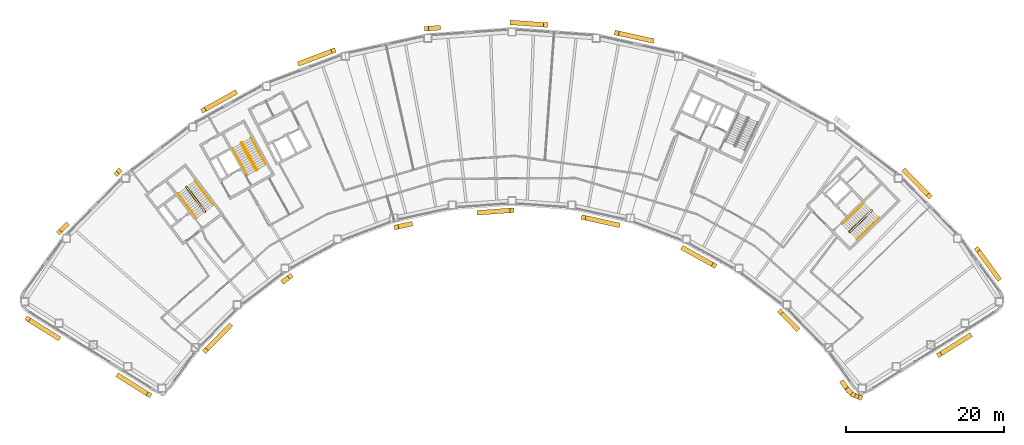
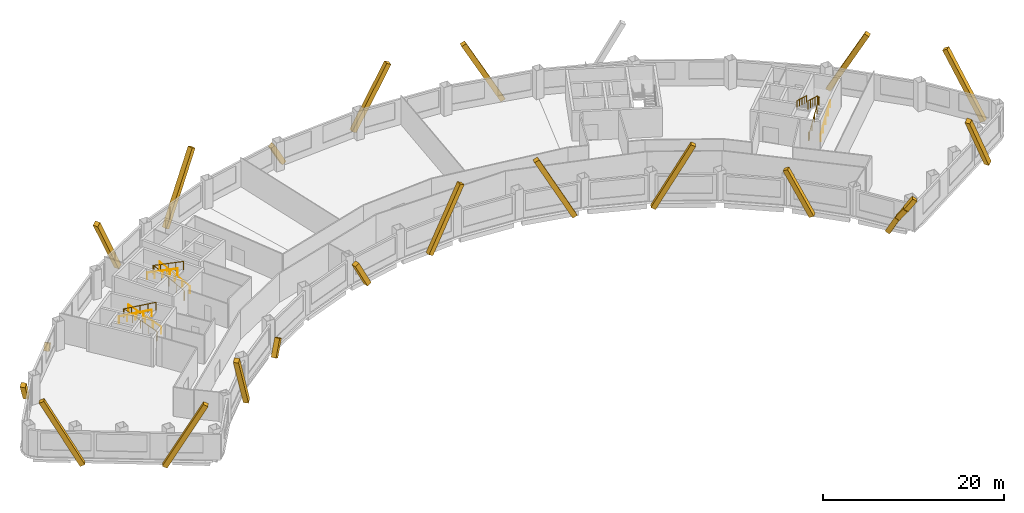
# One storey, part 10 of 11: 22 coverings, 9 railings.
"""IFC4 building model written with IfcOpenShell, lengths in metres."""

from ifc_helpers import new_model, si_unit, direction, frame, origin, origin_2d, place, context, subcontext, project, spatial, rectangle, circle, extrude, material, material_profile, profile_set, type_object, element, save


model = new_model("IFC4")

# Units and contexts
model_context = context("Model", 3, precision=1e-05, world=origin(), true_north=direction((0.0, 1.0)))
body_context = subcontext(model_context, "Body", "Model", "MODEL_VIEW")
ifc_project = project(units=[si_unit("LENGTHUNIT", "METRE"), si_unit("AREAUNIT", "SQUARE_METRE"), si_unit("VOLUMEUNIT", "CUBIC_METRE"), si_unit("PLANEANGLEUNIT", "RADIAN"), si_unit("MASSUNIT", "GRAM", prefix="KILO")], contexts=[model_context])

# Site, building, storey
site_placement = place(None, origin())
site = spatial("IfcSite", under=ifc_project, at=site_placement, CompositionType="ELEMENT")
building_placement = place(site_placement, origin())
building = spatial("IfcBuilding", under=site, at=building_placement, Name="Tuul Gate Civic Tower", CompositionType="ELEMENT")
storey_placement = place(building_placement, frame((0.0, 0.0, 146.60009765625)))
storey = spatial("IfcBuildingStorey", under=building, at=storey_placement, Name="Level 33", CompositionType="ELEMENT", Elevation=146.60009765625)

# Railings
ifc_material_1 = material(Name="Painted steel", Category="steel")
railing_type_1 = type_object("IfcRailingType", Name="Stair guard", PredefinedType="GUARDRAIL", material=ifc_material_1)
railing_1_placement = place(storey_placement, frame((-33.382080078125, -13.515380859375, 0.0)))
element("IfcRailing", 1, at=railing_1_placement, inside=storey, type_object=railing_type_1, Name="Level 33 ST-1 stair guard 1", PredefinedType="GUARDRAIL", context=body_context, shape_type="SweptSolid", body=[
    extrude(circle(Radius=0.02392578125, at=origin_2d()), frame((0.0, 0.0, 1.076171875), z_axis=(-0.795879841968, -0.605454603706, 0.0), x_axis=(0.605454603706, -0.795879841968, 0.0)), (0.0, 0.0, 1.0), 0.10009765625),
    extrude(circle(Radius=0.02392578125, at=origin_2d()), frame((-0.07958984375, -0.060546875, 1.076171875), z_axis=(0.408991890351, 0.599481263939, 0.688002796371), x_axis=(-0.826063974707, 0.563576356576, 0.0)), (0.0, 0.0, 1.0), 0.2177734375),
    extrude(circle(Radius=0.02392578125, at=origin_2d()), frame((0.009521484375, 0.070068359375, 1.22607421875), z_axis=(-0.541824460341, 0.711645023348, 0.447199748346), x_axis=(-0.795637165283, -0.60577347352, 0.0)), (0.0, 0.0, 1.0), 4.3603515625),
    extrude(circle(Radius=0.02392578125, at=origin_2d()), frame((-2.35302734375, 3.173095703125, 3.17578125), z_axis=(-0.990893089246, 0.134650977284, 0.0), x_axis=(-0.134650977284, -0.990893089246, 0.0)), (0.0, 0.0, 1.0), 0.07080078125),
    extrude(circle(Radius=0.02392578125, at=origin_2d()), frame((-2.423095703125, 3.1826171875, 3.17578125), z_axis=(-0.793802879778, -0.60817512943, 0.0), x_axis=(0.60817512943, -0.793802879778, 0.0)), (0.0, 0.0, 1.0), 0.099853515625),
    extrude(circle(Radius=0.02392578125, at=origin_2d()), frame((-2.50244140625, 3.121826171875, 3.17578125), z_axis=(-0.057370624079, -0.422188951554, 0.904690610473), x_axis=(0.990893089246, -0.134650977284, 0.0)), (0.0, 0.0, 1.0), 0.166015625),
    extrude(circle(Radius=0.02392578125, at=origin_2d()), frame((-2.511962890625, 3.0517578125, 3.326171875), z_axis=(0.541806494602, -0.71163897684, 0.447231136047), x_axis=(0.795644365679, 0.605764016233, 0.0)), (0.0, 0.0, 1.0), 4.360107421875),
    extrude(circle(Radius=0.02099609375, at=origin_2d()), origin(), (0.0, 0.0, 1.0), 1.052001953125),
    extrude(circle(Radius=0.02099609375, at=origin_2d()), frame((-0.07958984375, -0.060546875, 0.0)), (0.0, 0.0, 1.0), 1.052001953125),
    extrude(circle(Radius=0.02099609375, at=origin_2d()), frame((0.009521484375, 0.070068359375, 0.14990234375)), (0.0, 0.0, 1.0), 1.052001953125),
    extrude(circle(Radius=0.02099609375, at=origin_2d()), frame((-0.5810546875, 0.845703125, 0.637451171875)), (0.0, 0.0, 1.0), 1.052001953125),
    extrude(circle(Radius=0.02099609375, at=origin_2d()), frame((-1.171875, 1.62158203125, 1.125)), (0.0, 0.0, 1.0), 1.052001953125),
    extrude(circle(Radius=0.02099609375, at=origin_2d()), frame((-1.762451171875, 2.3974609375, 1.6123046875)), (0.0, 0.0, 1.0), 1.052001953125),
    extrude(circle(Radius=0.02099609375, at=origin_2d()), frame((-2.35302734375, 3.173095703125, 2.099853515625)), (0.0, 0.0, 1.0), 1.052001953125),
    extrude(circle(Radius=0.02099609375, at=origin_2d()), frame((-2.423095703125, 3.1826171875, 2.099853515625)), (0.0, 0.0, 1.0), 1.052001953125),
    extrude(circle(Radius=0.02099609375, at=origin_2d()), frame((-2.50244140625, 3.121826171875, 2.099853515625)), (0.0, 0.0, 1.0), 1.052001953125),
    extrude(circle(Radius=0.02099609375, at=origin_2d()), frame((-2.511962890625, 3.0517578125, 2.25)), (0.0, 0.0, 1.0), 1.052001953125),
    extrude(circle(Radius=0.02099609375, at=origin_2d()), frame((-1.92138671875, 2.276123046875, 2.737548828125)), (0.0, 0.0, 1.0), 1.052001953125),
    extrude(circle(Radius=0.02099609375, at=origin_2d()), frame((-1.330810546875, 1.50048828125, 3.22509765625)), (0.0, 0.0, 1.0), 1.052001953125),
    extrude(circle(Radius=0.02099609375, at=origin_2d()), frame((-0.740234375, 0.724609375, 3.71240234375)), (0.0, 0.0, 1.0), 1.052001953125),
    extrude(circle(Radius=0.02099609375, at=origin_2d()), frame((-0.149658203125, -0.051025390625, 4.199951171875)), (0.0, 0.0, 1.0), 1.052001953125),
])
railing_2_placement = place(storey_placement, frame((-26.857666015625, -8.247314453125, 0.0)))
element("IfcRailing", 2, at=railing_2_placement, inside=storey, type_object=railing_type_1, Name="Level 33 ST-2 stair guard 1", PredefinedType="GUARDRAIL", context=body_context, shape_type="SweptSolid", body=[
    extrude(circle(Radius=0.02392578125, at=origin_2d()), frame((0.0, 0.0, 1.076171875), z_axis=(-0.874616555828, -0.48481530532, 0.0), x_axis=(0.48481530532, -0.874616555828, 0.0)), (0.0, 0.0, 1.0), 0.10009765625),
    extrude(circle(Radius=0.02392578125, at=origin_2d()), frame((-0.087646484375, -0.048583984375, 1.076171875), z_axis=(0.49081399482, 0.534516610797, 0.688036056665), x_axis=(-0.736576986774, 0.676353711126, 0.0)), (0.0, 0.0, 1.0), 0.2177734375),
    extrude(circle(Radius=0.02392578125, at=origin_2d()), frame((0.019287109375, 0.06787109375, 1.22607421875), z_axis=(-0.43354991378, 0.782327185242, 0.447212083348), x_axis=(-0.874667644053, -0.484723129681, 0.0)), (0.0, 0.0, 1.0), 4.3603515625),
    extrude(circle(Radius=0.02392578125, at=origin_2d()), frame((-1.87109375, 3.47900390625, 3.17578125), z_axis=(-0.961263487578, 0.275631107549, 0.0), x_axis=(-0.275631107549, -0.961263487578, 0.0)), (0.0, 0.0, 1.0), 0.07080078125),
    extrude(circle(Radius=0.02392578125, at=origin_2d()), frame((-1.939208984375, 3.49853515625, 3.17578125), z_axis=(-0.874042088414, -0.485850211157, 0.0), x_axis=(0.485850211157, -0.874042088414, 0.0)), (0.0, 0.0, 1.0), 0.10009765625),
    extrude(circle(Radius=0.02392578125, at=origin_2d()), frame((-2.026611328125, 3.449951171875, 3.17578125), z_axis=(-0.117709570447, -0.409040757305, 0.904892322815), x_axis=(0.961000426733, -0.276546885391, 0.0)), (0.0, 0.0, 1.0), 0.166015625),
    extrude(circle(Radius=0.02392578125, at=origin_2d()), frame((-2.046142578125, 3.382080078125, 3.326171875), z_axis=(0.433595379963, -0.782308193291, 0.447201226726), x_axis=(0.874641102302, 0.484771020343, 0.0)), (0.0, 0.0, 1.0), 4.3603515625),
    extrude(circle(Radius=0.02099609375, at=origin_2d()), origin(), (0.0, 0.0, 1.0), 1.052001953125),
    extrude(circle(Radius=0.02099609375, at=origin_2d()), frame((-0.087646484375, -0.048583984375, 0.0)), (0.0, 0.0, 1.0), 1.052001953125),
    extrude(circle(Radius=0.02099609375, at=origin_2d()), frame((0.019287109375, 0.06787109375, 0.14990234375)), (0.0, 0.0, 1.0), 1.052001953125),
    extrude(circle(Radius=0.02099609375, at=origin_2d()), frame((-0.453369140625, 0.920654296875, 0.637451171875)), (0.0, 0.0, 1.0), 1.052001953125),
    extrude(circle(Radius=0.02099609375, at=origin_2d()), frame((-0.92578125, 1.7734375, 1.125)), (0.0, 0.0, 1.0), 1.052001953125),
    extrude(circle(Radius=0.02099609375, at=origin_2d()), frame((-1.3984375, 2.626220703125, 1.6123046875)), (0.0, 0.0, 1.0), 1.052001953125),
    extrude(circle(Radius=0.02099609375, at=origin_2d()), frame((-1.87109375, 3.47900390625, 2.099853515625)), (0.0, 0.0, 1.0), 1.052001953125),
    extrude(circle(Radius=0.02099609375, at=origin_2d()), frame((-1.939208984375, 3.49853515625, 2.099853515625)), (0.0, 0.0, 1.0), 1.052001953125),
    extrude(circle(Radius=0.02099609375, at=origin_2d()), frame((-2.026611328125, 3.449951171875, 2.099853515625)), (0.0, 0.0, 1.0), 1.052001953125),
    extrude(circle(Radius=0.02099609375, at=origin_2d()), frame((-2.046142578125, 3.382080078125, 2.25)), (0.0, 0.0, 1.0), 1.052001953125),
    extrude(circle(Radius=0.02099609375, at=origin_2d()), frame((-1.573486328125, 2.529296875, 2.737548828125)), (0.0, 0.0, 1.0), 1.052001953125),
    extrude(circle(Radius=0.02099609375, at=origin_2d()), frame((-1.100830078125, 1.676513671875, 3.22509765625)), (0.0, 0.0, 1.0), 1.052001953125),
    extrude(circle(Radius=0.02099609375, at=origin_2d()), frame((-0.628173828125, 0.82373046875, 3.71240234375)), (0.0, 0.0, 1.0), 1.052001953125),
    extrude(circle(Radius=0.02099609375, at=origin_2d()), frame((-0.155517578125, -0.029052734375, 4.199951171875)), (0.0, 0.0, 1.0), 1.052001953125),
])
railing_3_placement = place(storey_placement, frame((48.10546875, -16.134765625, 0.0)))
element("IfcRailing", 3, at=railing_3_placement, inside=storey, type_object=railing_type_1, Name="Level 33 ST-3 stair guard 1", PredefinedType="GUARDRAIL", context=body_context, shape_type="SweptSolid", body=[
    extrude(circle(Radius=0.02392578125, at=origin_2d()), frame((0.0, 0.0, 1.076171875), z_axis=(-0.698506948293, 0.715603272202, 0.0), x_axis=(-0.715603272202, -0.698506948293, 0.0)), (0.0, 0.0, 1.0), 0.099853515625),
    extrude(circle(Radius=0.02392578125, at=origin_2d()), frame((-0.06982421875, 0.071533203125, 1.076171875), z_axis=(0.645446321009, -0.331687692741, 0.688027849131), x_axis=(0.457068866502, 0.889431307788, 0.0)), (0.0, 0.0, 1.0), 0.2177734375),
    extrude(circle(Radius=0.02392578125, at=origin_2d()), frame((0.07080078125, -0.000732421875, 1.22607421875), z_axis=(0.638731261263, 0.626133563701, 0.447190268558), x_axis=(-0.700029477518, 0.714113947914, 0.0)), (0.0, 0.0, 1.0), 4.3603515625),
    extrude(circle(Radius=0.02392578125, at=origin_2d()), frame((2.85595703125, 2.7294921875, 3.17578125), z_axis=(0.010380063588, 0.999946125689, 0.0), x_axis=(-0.999946125689, 0.010380063588, 0.0)), (0.0, 0.0, 1.0), 0.070556640625),
    extrude(circle(Radius=0.02392578125, at=origin_2d()), frame((2.856689453125, 2.800048828125, 3.17578125), z_axis=(-0.699754442181, 0.714383454909, 0.0), x_axis=(-0.714383454909, -0.699754442181, 0.0)), (0.0, 0.0, 1.0), 0.10009765625),
    extrude(circle(Radius=0.02392578125, at=origin_2d()), frame((2.78662109375, 2.87158203125, 3.17578125), z_axis=(-0.426501027327, 0.004412079593, 0.904476316574), x_axis=(-0.010344274102, -0.999946496565, 0.0)), (0.0, 0.0, 1.0), 0.166015625),
    extrude(circle(Radius=0.02392578125, at=origin_2d()), frame((2.7158203125, 2.872314453125, 3.326171875), z_axis=(-0.638731261263, -0.626133563701, 0.447190268558), x_axis=(0.700029477518, -0.714113947914, 0.0)), (0.0, 0.0, 1.0), 4.3603515625),
    extrude(circle(Radius=0.02099609375, at=origin_2d()), origin(), (0.0, 0.0, 1.0), 1.052001953125),
    extrude(circle(Radius=0.02099609375, at=origin_2d()), frame((-0.06982421875, 0.071533203125, 0.0)), (0.0, 0.0, 1.0), 1.052001953125),
    extrude(circle(Radius=0.02099609375, at=origin_2d()), frame((0.07080078125, -0.000732421875, 0.14990234375)), (0.0, 0.0, 1.0), 1.052001953125),
    extrude(circle(Radius=0.02099609375, at=origin_2d()), frame((0.76708984375, 0.681884765625, 0.637451171875)), (0.0, 0.0, 1.0), 1.052001953125),
    extrude(circle(Radius=0.02099609375, at=origin_2d()), frame((1.46337890625, 1.3642578125, 1.125)), (0.0, 0.0, 1.0), 1.052001953125),
    extrude(circle(Radius=0.02099609375, at=origin_2d()), frame((2.15966796875, 2.046875, 1.6123046875)), (0.0, 0.0, 1.0), 1.052001953125),
    extrude(circle(Radius=0.02099609375, at=origin_2d()), frame((2.85595703125, 2.7294921875, 2.099853515625)), (0.0, 0.0, 1.0), 1.052001953125),
    extrude(circle(Radius=0.02099609375, at=origin_2d()), frame((2.856689453125, 2.800048828125, 2.099853515625)), (0.0, 0.0, 1.0), 1.052001953125),
    extrude(circle(Radius=0.02099609375, at=origin_2d()), frame((2.78662109375, 2.87158203125, 2.099853515625)), (0.0, 0.0, 1.0), 1.052001953125),
    extrude(circle(Radius=0.02099609375, at=origin_2d()), frame((2.7158203125, 2.872314453125, 2.25)), (0.0, 0.0, 1.0), 1.052001953125),
    extrude(circle(Radius=0.02099609375, at=origin_2d()), frame((2.01953125, 2.189697265625, 2.737548828125)), (0.0, 0.0, 1.0), 1.052001953125),
    extrude(circle(Radius=0.02099609375, at=origin_2d()), frame((1.3232421875, 1.50732421875, 3.22509765625)), (0.0, 0.0, 1.0), 1.052001953125),
    extrude(circle(Radius=0.02099609375, at=origin_2d()), frame((0.626953125, 0.82470703125, 3.71240234375)), (0.0, 0.0, 1.0), 1.052001953125),
    extrude(circle(Radius=0.02099609375, at=origin_2d()), frame((-0.0693359375, 0.14208984375, 4.199951171875)), (0.0, 0.0, 1.0), 1.052001953125),
])
ifc_material_2 = material(Name="Painted steel", Category="steel")
railing_type_2 = type_object("IfcRailingType", Name="Stair handrail", PredefinedType="HANDRAIL", material=ifc_material_2)
railing_4_placement = place(storey_placement, frame((-32.3779296875, -12.688232421875, 0.14990234375)))
element("IfcRailing", 4, at=railing_4_placement, inside=storey, type_object=railing_type_2, Name="Level 33 ST-1 stair handrail 1", PredefinedType="HANDRAIL", context=body_context, shape_type="SweptSolid", body=[
    extrude(circle(Radius=0.02392578125, at=origin_2d()), frame((0.0, 0.0, 0.8759765625), z_axis=(-0.541824460341, 0.711645023348, 0.447199748346), x_axis=(-0.795637165283, -0.60577347352, 0.0)), (0.0, 0.0, 1.0), 4.3603515625),
    extrude(circle(Radius=0.02099609375, at=origin_2d()), origin(), (0.0, 0.0, 1.0), 0.851806640625),
    extrude(circle(Radius=0.02099609375, at=origin_2d()), frame((-0.590576171875, 0.77587890625, 0.487548828125)), (0.0, 0.0, 1.0), 0.851806640625),
    extrude(circle(Radius=0.02099609375, at=origin_2d()), frame((-1.18115234375, 1.551513671875, 0.97509765625)), (0.0, 0.0, 1.0), 0.851806640625),
    extrude(circle(Radius=0.02099609375, at=origin_2d()), frame((-1.77197265625, 2.3271484375, 1.46240234375)), (0.0, 0.0, 1.0), 0.851806640625),
    extrude(circle(Radius=0.02099609375, at=origin_2d()), frame((-2.362548828125, 3.10302734375, 1.949951171875)), (0.0, 0.0, 1.0), 0.851806640625),
])
railing_5_placement = place(storey_placement, frame((-36.888671875, -11.220703125, 2.25)))
element("IfcRailing", 5, at=railing_5_placement, inside=storey, type_object=railing_type_2, Name="Level 33 ST-1 stair handrail 2", PredefinedType="HANDRAIL", context=body_context, shape_type="SweptSolid", body=[
    extrude(circle(Radius=0.02392578125, at=origin_2d()), frame((0.0, 0.0, 0.8759765625), z_axis=(0.541824460341, -0.711645023348, 0.447199748346), x_axis=(0.795637165283, 0.60577347352, 0.0)), (0.0, 0.0, 1.0), 4.3603515625),
    extrude(circle(Radius=0.02099609375, at=origin_2d()), origin(), (0.0, 0.0, 1.0), 0.851806640625),
    extrude(circle(Radius=0.02099609375, at=origin_2d()), frame((0.590576171875, -0.77587890625, 0.487548828125)), (0.0, 0.0, 1.0), 0.851806640625),
    extrude(circle(Radius=0.02099609375, at=origin_2d()), frame((1.18115234375, -1.551513671875, 0.97509765625)), (0.0, 0.0, 1.0), 0.851806640625),
    extrude(circle(Radius=0.02099609375, at=origin_2d()), frame((1.77197265625, -2.3271484375, 1.46240234375)), (0.0, 0.0, 1.0), 0.851806640625),
    extrude(circle(Radius=0.02099609375, at=origin_2d()), frame((2.362548828125, -3.10302734375, 1.949951171875)), (0.0, 0.0, 1.0), 0.851806640625),
])
railing_6_placement = place(storey_placement, frame((-25.744873046875, -7.573486328125, 0.14990234375)))
element("IfcRailing", 6, at=railing_6_placement, inside=storey, type_object=railing_type_2, Name="Level 33 ST-2 stair handrail 1", PredefinedType="HANDRAIL", context=body_context, shape_type="SweptSolid", body=[
    extrude(circle(Radius=0.02392578125, at=origin_2d()), frame((0.0, 0.0, 0.8759765625), z_axis=(-0.433595379963, 0.782308193291, 0.447201226726), x_axis=(-0.874641102302, -0.484771020343, 0.0)), (0.0, 0.0, 1.0), 4.3603515625),
    extrude(circle(Radius=0.02099609375, at=origin_2d()), origin(), (0.0, 0.0, 1.0), 0.851806640625),
    extrude(circle(Radius=0.02099609375, at=origin_2d()), frame((-0.47265625, 0.852783203125, 0.487548828125)), (0.0, 0.0, 1.0), 0.851806640625),
    extrude(circle(Radius=0.02099609375, at=origin_2d()), frame((-0.9453125, 1.70556640625, 0.97509765625)), (0.0, 0.0, 1.0), 0.851806640625),
    extrude(circle(Radius=0.02099609375, at=origin_2d()), frame((-1.41796875, 2.558349609375, 1.46240234375)), (0.0, 0.0, 1.0), 0.851806640625),
    extrude(circle(Radius=0.02099609375, at=origin_2d()), frame((-1.890625, 3.4111328125, 1.949951171875)), (0.0, 0.0, 1.0), 0.851806640625),
])
railing_7_placement = place(storey_placement, frame((-29.9970703125, -5.47119140625, 2.25)))
element("IfcRailing", 7, at=railing_7_placement, inside=storey, type_object=railing_type_2, Name="Level 33 ST-2 stair handrail 2", PredefinedType="HANDRAIL", context=body_context, shape_type="SweptSolid", body=[
    extrude(circle(Radius=0.02392578125, at=origin_2d()), frame((0.0, 0.0, 0.8759765625), z_axis=(0.433595379963, -0.782308193291, 0.447201226726), x_axis=(0.874641102302, 0.484771020343, 0.0)), (0.0, 0.0, 1.0), 4.3603515625),
    extrude(circle(Radius=0.02099609375, at=origin_2d()), origin(), (0.0, 0.0, 1.0), 0.851806640625),
    extrude(circle(Radius=0.02099609375, at=origin_2d()), frame((0.47265625, -0.852783203125, 0.487548828125)), (0.0, 0.0, 1.0), 0.851806640625),
    extrude(circle(Radius=0.02099609375, at=origin_2d()), frame((0.9453125, -1.70556640625, 0.97509765625)), (0.0, 0.0, 1.0), 0.851806640625),
    extrude(circle(Radius=0.02099609375, at=origin_2d()), frame((1.41796875, -2.558349609375, 1.46240234375)), (0.0, 0.0, 1.0), 0.851806640625),
    extrude(circle(Radius=0.02099609375, at=origin_2d()), frame((1.890625, -3.4111328125, 1.949951171875)), (0.0, 0.0, 1.0), 0.851806640625),
])
railing_8_placement = place(storey_placement, frame((49.05126953125, -17.028076171875, 0.14990234375)))
element("IfcRailing", 8, at=railing_8_placement, inside=storey, type_object=railing_type_2, Name="Level 33 ST-3 stair handrail 1", PredefinedType="HANDRAIL", context=body_context, shape_type="SweptSolid", body=[
    extrude(circle(Radius=0.02392578125, at=origin_2d()), frame((0.0, 0.0, 0.8759765625), z_axis=(0.638753653487, 0.626099522554, 0.447205945863), x_axis=(-0.699997553204, 0.714145241186, 0.0)), (0.0, 0.0, 1.0), 4.3603515625),
    extrude(circle(Radius=0.02099609375, at=origin_2d()), origin(), (0.0, 0.0, 1.0), 0.851806640625),
    extrude(circle(Radius=0.02099609375, at=origin_2d()), frame((0.6962890625, 0.6826171875, 0.487548828125)), (0.0, 0.0, 1.0), 0.851806640625),
    extrude(circle(Radius=0.02099609375, at=origin_2d()), frame((1.392578125, 1.364990234375, 0.97509765625)), (0.0, 0.0, 1.0), 0.851806640625),
    extrude(circle(Radius=0.02099609375, at=origin_2d()), frame((2.0888671875, 2.04736328125, 1.46240234375)), (0.0, 0.0, 1.0), 0.851806640625),
    extrude(circle(Radius=0.02099609375, at=origin_2d()), frame((2.78515625, 2.72998046875, 1.949951171875)), (0.0, 0.0, 1.0), 0.851806640625),
])
railing_9_placement = place(storey_placement, frame((49.9462890625, -12.369873046875, 2.25)))
element("IfcRailing", 9, at=railing_9_placement, inside=storey, type_object=railing_type_2, Name="Level 33 ST-3 stair handrail 2", PredefinedType="HANDRAIL", context=body_context, shape_type="SweptSolid", body=[
    extrude(circle(Radius=0.02392578125, at=origin_2d()), frame((0.0, 0.0, 0.8759765625), z_axis=(-0.638753653487, -0.626099522554, 0.447205945863), x_axis=(0.699997553204, -0.714145241186, 0.0)), (0.0, 0.0, 1.0), 4.3603515625),
    extrude(circle(Radius=0.02099609375, at=origin_2d()), origin(), (0.0, 0.0, 1.0), 0.851806640625),
    extrude(circle(Radius=0.02099609375, at=origin_2d()), frame((-0.6962890625, -0.6826171875, 0.487548828125)), (0.0, 0.0, 1.0), 0.851806640625),
    extrude(circle(Radius=0.02099609375, at=origin_2d()), frame((-1.392578125, -1.364990234375, 0.97509765625)), (0.0, 0.0, 1.0), 0.851806640625),
    extrude(circle(Radius=0.02099609375, at=origin_2d()), frame((-2.0888671875, -2.04736328125, 1.46240234375)), (0.0, 0.0, 1.0), 0.851806640625),
    extrude(circle(Radius=0.02099609375, at=origin_2d()), frame((-2.78515625, -2.72998046875, 1.949951171875)), (0.0, 0.0, 1.0), 0.851806640625),
])

# Coverings
ifc_material_3 = material(Name="Terracotta baguette", Category="masonry")
ifc_material_profile = material_profile(ifc_material_3, rectangle(XDim=0.60009765625, YDim=0.60009765625, at=origin_2d()), Name="Terracotta baguette screen frame")
ifc_profile_set = profile_set([ifc_material_profile], Name="Terracotta baguette")
covering_type = type_object("IfcCoveringType", Name="Terracotta baguette screen frame", PredefinedType="CLADDING", material=ifc_profile_set)
covering_1_placement = place(storey_placement, frame((63.275146484375, -29.19384765625, -0.35009765625), z_axis=(-0.402317058192, -0.251358609748, 0.880318030028), x_axis=(0.529863185224, -0.848083135633, 0.0)))
element("IfcCovering", 10, at=covering_1_placement, inside=storey, type_object=covering_type, Name="Baguette 3", PredefinedType="CLADDING", context=body_context, shape_type="SweptSolid", body=[
    extrude(rectangle(XDim=0.60009765625, YDim=0.60009765625, at=origin_2d()), origin(), (0.0, 0.0, 1.0), 9.5419921875),
])
covering_2_placement = place(storey_placement, frame((66.93359375, -21.952880859375, -0.35009765625), z_axis=(-0.281344263108, 0.385258232812, 0.878875133148), x_axis=(-0.807581408805, -0.589756109042, 0.0)))
element("IfcCovering", 11, at=covering_2_placement, inside=storey, type_object=covering_type, Name="Baguette 18", PredefinedType="CLADDING", context=body_context, shape_type="SweptSolid", body=[
    extrude(rectangle(XDim=0.60009765625, YDim=0.60009765625, at=origin_2d()), origin(), (0.0, 0.0, 1.0), 9.5576171875),
])
covering_3_placement = place(storey_placement, frame((58.1796875, -11.53173828125, 8.0498046875), z_axis=(-0.332633387091, 0.339313715568, -0.879898421535), x_axis=(-0.714101368885, -0.700042309404, 0.0)))
element("IfcCovering", 12, at=covering_3_placement, inside=storey, type_object=covering_type, Name="Baguette 27", PredefinedType="CLADDING", context=body_context, shape_type="SweptSolid", body=[
    extrude(rectangle(XDim=0.60009765625, YDim=0.60009765625, at=origin_2d()), origin(), (0.0, 0.0, 1.0), 9.355712890625),
])
covering_4_placement = place(storey_placement, frame((23.056640625, 8.139404296875, -0.35009765625), z_axis=(-0.464037985813, 0.102244357524, 0.879894788641), x_axis=(-0.215174921103, -0.976575523617, 0.0)))
element("IfcCovering", 13, at=covering_4_placement, inside=storey, type_object=covering_type, Name="Baguette 60", PredefinedType="CLADDING", context=body_context, shape_type="SweptSolid", body=[
    extrude(rectangle(XDim=0.60009765625, YDim=0.60009765625, at=origin_2d()), origin(), (0.0, 0.0, 1.0), 9.54638671875),
])
covering_5_placement = place(storey_placement, frame((9.629638671875, 10.126708984375, 8.0498046875), z_axis=(-0.47392073941, 0.034338930289, -0.879897704636), x_axis=(-0.072267661138, -0.997385274181, 0.0)))
element("IfcCovering", 14, at=covering_5_placement, inside=storey, type_object=covering_type, Name="Baguette 69", PredefinedType="CLADDING", context=body_context, shape_type="SweptSolid", body=[
    extrude(rectangle(XDim=0.60009765625, YDim=0.60009765625, at=origin_2d()), origin(), (0.0, 0.0, 1.0), 8.9794921875),
])
covering_6_placement = place(storey_placement, frame((-3.943359375, 9.760009765625, -0.35009765625), z_axis=(-0.473958579219, -0.034288001027, 0.879879308866), x_axis=(0.072155305808, -0.997393408763, 0.0)))
element("IfcCovering", 15, at=covering_6_placement, inside=storey, type_object=covering_type, Name="Baguette 81", PredefinedType="CLADDING", context=body_context, shape_type="SweptSolid", body=[
    extrude(rectangle(XDim=0.60009765625, YDim=0.60009765625, at=origin_2d()), origin(), (0.0, 0.0, 1.0), 3.175537109375),
])
covering_7_placement = place(storey_placement, frame((-17.213134765625, 6.8740234375, 8.0498046875), z_axis=(-0.444449007562, -0.168071746228, -0.879895998284), x_axis=(0.353711403676, -0.935354608108, 0.0)))
element("IfcCovering", 16, at=covering_7_placement, inside=storey, type_object=covering_type, Name="Baguette 93", PredefinedType="CLADDING", context=body_context, shape_type="SweptSolid", body=[
    extrude(rectangle(XDim=0.60009765625, YDim=0.60009765625, at=origin_2d()), origin(), (0.0, 0.0, 1.0), 9.54638671875),
])
covering_8_placement = place(storey_placement, frame((-29.69873046875, 1.535400390625, -0.35009765625), z_axis=(-0.415599156496, -0.23036842051, 0.879890750009), x_axis=(0.484806475071, -0.874621450531, 0.0)))
element("IfcCovering", 17, at=covering_8_placement, inside=storey, type_object=covering_type, Name="Baguette 102", PredefinedType="CLADDING", context=body_context, shape_type="SweptSolid", body=[
    extrude(rectangle(XDim=0.60009765625, YDim=0.60009765625, at=origin_2d()), origin(), (0.0, 0.0, 1.0), 9.546630859375),
])
covering_9_placement = place(storey_placement, frame((-44.319580078125, -8.357177734375, 0.4794921875), z_axis=(-0.33274382455, -0.339217439813, -0.87989378663), x_axis=(0.713885857337, -0.700262081434, 0.0)))
element("IfcCovering", 18, at=covering_9_placement, inside=storey, type_object=covering_type, Name="Baguette 112", PredefinedType="CLADDING", context=body_context, shape_type="SweptSolid", body=[
    extrude(rectangle(XDim=0.60009765625, YDim=0.60009765625, at=origin_2d()), origin(), (0.0, 0.0, 1.0), 0.94287109375),
])
covering_10_placement = place(storey_placement, frame((-50.984375, -15.15576171875, -0.35009765625), z_axis=(-0.332603463644, -0.339318321196, 0.879907957046), x_axis=(0.714137600713, -0.700005348013, 0.0)))
element("IfcCovering", 19, at=covering_10_placement, inside=storey, type_object=covering_type, Name="Baguette 123", PredefinedType="CLADDING", context=body_context, shape_type="SweptSolid", body=[
    extrude(rectangle(XDim=0.60009765625, YDim=0.60009765625, at=origin_2d()), origin(), (0.0, 0.0, 1.0), 2.799560546875),
])
for number, where, z_axis, x_axis, name in (
    (20, (-55.91015625, -27.079833984375, 8.0498046875), (0.402314470661, -0.251382579131, -0.8803123682), (0.529901976461, 0.848058898511, 0.0), "Baguette 147"),
    (21, (-44.393798828125, -34.27587890625, -0.35009765625), (0.402311882917, -0.25140654805, 0.880306705905), (0.529940764372, 0.848034661, 0.0), "Baguette 154"),
):
    element("IfcCovering", number, at=place(storey_placement, frame(where, z_axis=z_axis, x_axis=x_axis)), inside=storey, type_object=covering_type, Name=name, PredefinedType="CLADDING", context=body_context, shape_type="SweptSolid", body=[
        extrude(rectangle(XDim=0.60009765625, YDim=0.60009765625, at=origin_2d()), origin(), (0.0, 0.0, 1.0), 9.5419921875),
    ])
covering_11_placement = place(storey_placement, frame((-33.431884765625, -31.1064453125, 8.0498046875), z_axis=(0.326330554035, 0.332887507095, -0.884700105755), x_axis=(-0.714104738574, 0.700038872025, 0.0)))
element("IfcCovering", 22, at=covering_11_placement, inside=storey, type_object=covering_type, Name="Baguette 178", PredefinedType="CLADDING", context=body_context, shape_type="SweptSolid", body=[
    extrude(rectangle(XDim=0.60009765625, YDim=0.60009765625, at=origin_2d()), origin(), (0.0, 0.0, 1.0), 9.49462890625),
])
covering_12_placement = place(storey_placement, frame((-23.5283203125, -22.314208984375, -0.35009765625), z_axis=(0.370950327422, 0.282395987396, 0.884674155205), x_axis=(-0.605727180009, 0.7956724096, 0.0)))
element("IfcCovering", 23, at=covering_12_placement, inside=storey, type_object=covering_type, Name="Baguette 188", PredefinedType="CLADDING", context=body_context, shape_type="SweptSolid", body=[
    extrude(rectangle(XDim=0.60009765625, YDim=0.60009765625, at=origin_2d()), origin(), (0.0, 0.0, 1.0), 2.246826171875),
])
covering_13_placement = place(storey_placement, frame((-9.2685546875, -15.459716796875, 3.105224609375), z_axis=(0.45525372734, 0.100327094931, -0.8846911991), x_axis=(-0.215212210255, 0.976567306721, 0.0)))
element("IfcCovering", 24, at=covering_13_placement, inside=storey, type_object=covering_type, Name="Baguette 201", PredefinedType="CLADDING", context=body_context, shape_type="SweptSolid", body=[
    extrude(rectangle(XDim=0.60009765625, YDim=0.60009765625, at=origin_2d()), origin(), (0.0, 0.0, 1.0), 3.90576171875),
])
covering_14_placement = place(storey_placement, frame((1.2216796875, -13.6279296875, -0.35009765625), z_axis=(0.464943150947, 0.033706191505, 0.884698682627), x_axis=(-0.072305541975, 0.997382528722, 0.0)))
element("IfcCovering", 25, at=covering_14_placement, inside=storey, type_object=covering_type, Name="Baguette 214", PredefinedType="CLADDING", context=body_context, shape_type="SweptSolid", body=[
    extrude(rectangle(XDim=0.60009765625, YDim=0.60009765625, at=origin_2d()), origin(), (0.0, 0.0, 1.0), 8.930908203125),
])
for number, where, z_axis, x_axis, name in (
    (26, (14.4296875, -14.228271484375, 8.0498046875), (0.455212630132, -0.10033551843, -0.884711390856), (0.21524797351, 0.976559424664, 0.0), "Baguette 226"),
    (27, (27.07666015625, -18.150634765625, -0.35009765625), (0.407692626751, -0.225998769884, 0.884709714033), (0.484827764604, 0.874609649312, 0.0), "Baguette 237"),
):
    element("IfcCovering", number, at=place(storey_placement, frame(where, z_axis=z_axis, x_axis=x_axis)), inside=storey, type_object=covering_type, Name=name, PredefinedType="CLADDING", context=body_context, shape_type="SweptSolid", body=[
        extrude(rectangle(XDim=0.60009765625, YDim=0.60009765625, at=origin_2d()), origin(), (0.0, 0.0, 1.0), 9.49462890625),
    ])
covering_15_placement = place(storey_placement, frame((39.344482421875, -26.173828125, 5.35693359375), z_axis=(0.326313416277, -0.332898725304, -0.884702205857), x_axis=(0.714134909565, 0.700008093482, 0.0)))
element("IfcCovering", 28, at=covering_15_placement, inside=storey, type_object=covering_type, Name="Baguette 247", PredefinedType="CLADDING", context=body_context, shape_type="SweptSolid", body=[
    extrude(rectangle(XDim=0.60009765625, YDim=0.60009765625, at=origin_2d()), origin(), (0.0, 0.0, 1.0), 6.45068359375),
])
covering_16_placement = place(storey_placement, frame((47.202392578125, -35.12060546875, -0.35009765625), z_axis=(0.278597074614, -0.381606916432, 0.881339793353), x_axis=(0.807662774431, 0.589644675037, 0.0)))
element("IfcCovering", 29, at=covering_16_placement, inside=storey, type_object=covering_type, Name="Baguette 264", PredefinedType="CLADDING", context=body_context, shape_type="SweptSolid", body=[
    extrude(rectangle(XDim=0.60009765625, YDim=0.60009765625, at=origin_2d()), origin(), (0.0, 0.0, 1.0), 2.438720703125),
])
covering_17_placement = place(storey_placement, frame((47.8818359375, -36.05126953125, 1.79931640625), z_axis=(0.418515268248, -0.39182463935, 0.819340235947), x_axis=(0.683445771731, 0.730001285686, 0.0)))
element("IfcCovering", 30, at=covering_17_placement, inside=storey, type_object=covering_type, Name="Baguette 265", PredefinedType="CLADDING", context=body_context, shape_type="SweptSolid", body=[
    extrude(rectangle(XDim=0.60009765625, YDim=0.60009765625, at=origin_2d()), origin(), (0.0, 0.0, 1.0), 1.5732421875),
])
covering_18_placement = place(storey_placement, frame((48.540283203125, -36.667724609375, 3.08837890625), z_axis=(0.560318540515, -0.222072864534, 0.797951612564), x_axis=(0.36845020329, 0.929647485715, 0.0)))
element("IfcCovering", 31, at=covering_18_placement, inside=storey, type_object=covering_type, Name="Baguette 266", PredefinedType="CLADDING", context=body_context, shape_type="SweptSolid", body=[
    extrude(rectangle(XDim=0.60009765625, YDim=0.60009765625, at=origin_2d()), origin(), (0.0, 0.0, 1.0), 1.615966796875),
])

save(model, "model.ifc")
